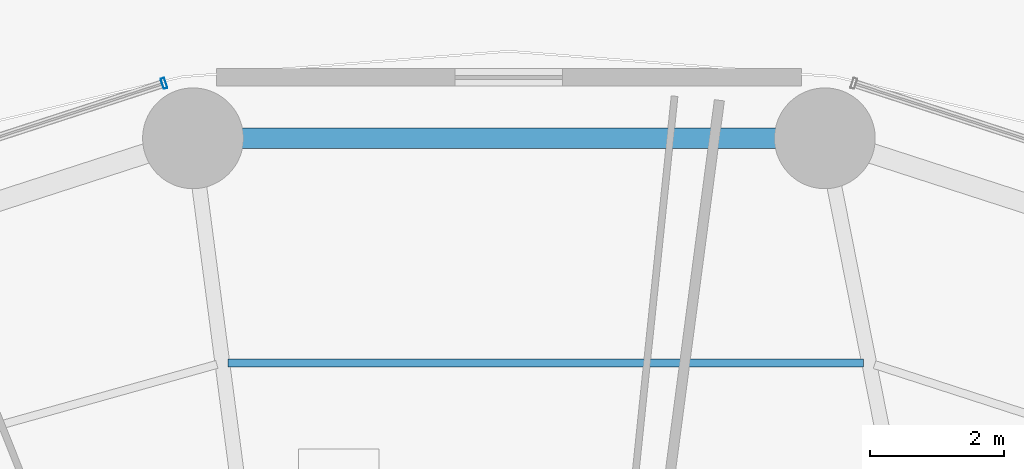
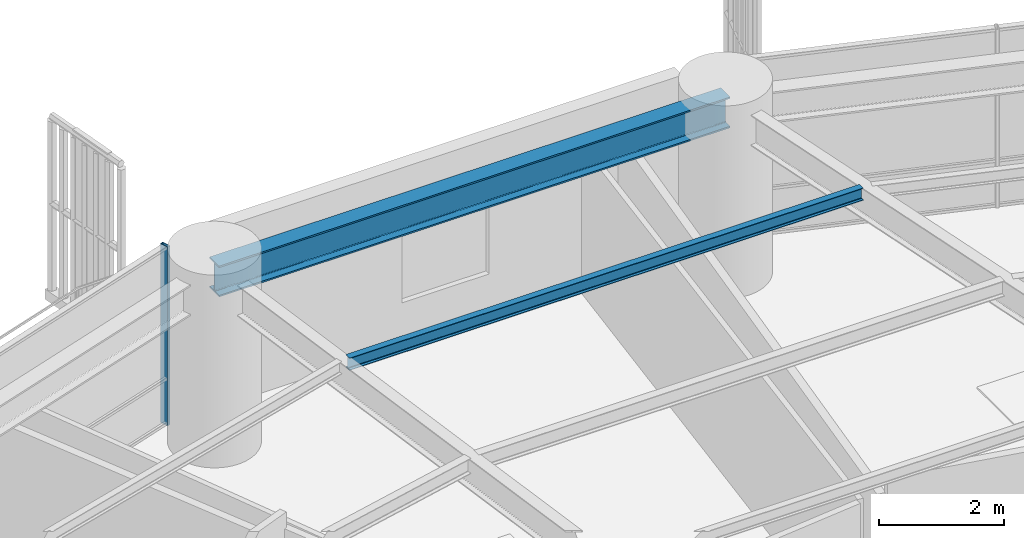
# One storey, part 18 of 32: 2 beams, 1 member, 1 element without a shape of its own.
"""IFC4 building model written with IfcOpenShell, lengths in metres."""

from ifc_helpers import new_model, si_unit, direction, frame, origin, origin_2d, place, context, subcontext, project, spatial, hollow_rectangle, i_section, extrude, material, layer, layer_set, material_profile, profile_set, type_object, element, aggregate, save


model = new_model("IFC4")

# Units and contexts
model_context = context("Model", 3, precision=1e-05, world=origin(), true_north=direction((0.0, 1.0)))
body_context = subcontext(model_context, "Body", "Model", "MODEL_VIEW")
ifc_project = project(units=[si_unit("LENGTHUNIT", "METRE"), si_unit("AREAUNIT", "SQUARE_METRE"), si_unit("VOLUMEUNIT", "CUBIC_METRE"), si_unit("PLANEANGLEUNIT", "RADIAN"), si_unit("MASSUNIT", "GRAM", prefix="KILO")], contexts=[model_context])

# Site, building, storey
site_placement = place(None, origin())
site = spatial("IfcSite", under=ifc_project, at=site_placement, CompositionType="ELEMENT")
building_placement = place(site_placement, origin())
building = spatial("IfcBuilding", under=site, at=building_placement, Name="Kelanora Arch Commons", CompositionType="ELEMENT")
storey_placement = place(building_placement, frame((0.0, 0.0, 52.5)))
storey = spatial("IfcBuildingStorey", under=building, at=storey_placement, Name="L13", CompositionType="ELEMENT", Elevation=52.5)

# Beams
ifc_material_1 = material(Name="Steel S355", Category="steel")
ifc_material_profile_1 = material_profile(ifc_material_1, i_section(OverallWidth=0.1201171875, OverallDepth=0.239990234375, WebThickness=0.006103515625, FlangeThickness=0.009765625, FilletRadius=0.014892578125, at=origin_2d()), Name="IPE240")
ifc_profile_set_1 = profile_set([ifc_material_profile_1], Name="Steel S355")
beam_type_1 = type_object("IfcBeamType", Name="BM-JST-02", PredefinedType="JOIST", material=ifc_profile_set_1)
beam_1_placement = place(storey_placement, frame((79.27685546875, 78.371337890625, 3.3701171875), z_axis=(-1.0, 0.0, 0.0), x_axis=(0.0, -1.0, 0.0)))
element("IfcBeam", 1, at=beam_1_placement, inside=storey, type_object=beam_type_1, Name="Secondary Chord Joist BJC-08 L13", PredefinedType="JOIST", context=body_context, shape_type="SweptSolid", body=[
    extrude(i_section(OverallWidth=0.1201171875, OverallDepth=0.239990234375, WebThickness=0.006103515625, FlangeThickness=0.009765625, FilletRadius=0.014892578125, at=origin_2d()), origin(), (0.0, 0.0, 1.0), 9.457763671875),
])
ifc_material_profile_2 = material_profile(ifc_material_1, i_section(OverallWidth=0.300048828125, OverallDepth=0.60009765625, WebThickness=0.015380859375, FlangeThickness=0.030029296875, FilletRadius=0.027099609375, at=origin_2d()), Name="HEB600")
ifc_profile_set_2 = profile_set([ifc_material_profile_2], Name="Steel S355")
beam_type_2 = type_object("IfcBeamType", Name="BM-SPN-Z1", PredefinedType="SPANDREL", material=ifc_profile_set_2)
beam_2_placement = place(storey_placement, frame((78.702392578125, 81.714111328125, 3.18994140625), z_axis=(-1.0, 0.0, 0.0), x_axis=(0.0, -1.0, 0.0)))
element("IfcBeam", 2, at=beam_2_placement, inside=storey, type_object=beam_type_2, Name="Perimeter Spandrel Beam BS-08 L13", PredefinedType="SPANDREL", context=body_context, shape_type="SweptSolid", body=[
    extrude(i_section(OverallWidth=0.300048828125, OverallDepth=0.60009765625, WebThickness=0.015380859375, FlangeThickness=0.030029296875, FilletRadius=0.027099609375, at=origin_2d()), origin(), (0.0, 0.0, 1.0), 9.40478515625),
])

# Curtain wall, member
ifc_material_2 = material(Name="Terracotta ceramic-fritted low-E glass and aluminium", Category="masonry")
ifc_layer = layer(ifc_material_2, 0.159912109375)
ifc_layer_set = layer_set([ifc_layer], Name="Terracotta ceramic-fritted low-E glass and aluminium")
curtain_wall_type = type_object("IfcCurtainWallType", Name="CW-SYS-01", PredefinedType="NOTDEFINED", material=ifc_layer_set)
curtain_wall_placement = place(storey_placement, origin())
curtain_wall = element("IfcCurtainWall", 3, at=curtain_wall_placement, inside=storey, type_object=curtain_wall_type, Name="Unitised Curtain Wall L13-B05", PredefinedType="NOTDEFINED")
ifc_material_3 = material(Name="Powder-coated aluminium terracotta", Category="masonry")
ifc_material_profile_3 = material_profile(ifc_material_3, hollow_rectangle(XDim=0.159912109375, YDim=0.06005859375, WallThickness=0.0048828125, InnerFilletRadius=0.0048828125, OuterFilletRadius=0.010009765625, at=origin_2d()), Name="CWM160x60")
ifc_profile_set_3 = profile_set([ifc_material_profile_3], Name="Powder-coated aluminium terracotta")
member_type = type_object("IfcMemberType", Name="CWM-STD", PredefinedType="MULLION", material=ifc_profile_set_3)
member_placement = place(storey_placement, frame((68.865478515625, 82.53173828125, 0.0), z_axis=(0.0, 0.0, 1.0), x_axis=(0.30905758454, -0.951043326793, 0.0)))
member = element("IfcMember", 4, at=member_placement, type_object=member_type, Name="CW-01 mullion 1", PredefinedType="MULLION", context=body_context, shape_type="SweptSolid", body=[
    extrude(hollow_rectangle(XDim=0.159912109375, YDim=0.06005859375, WallThickness=0.0048828125, InnerFilletRadius=0.0048828125, OuterFilletRadius=0.010009765625, at=origin_2d()), origin(), (0.0, 0.0, 1.0), 3.47509765625),
])
aggregate(curtain_wall, [member])

save(model, "model.ifc")
